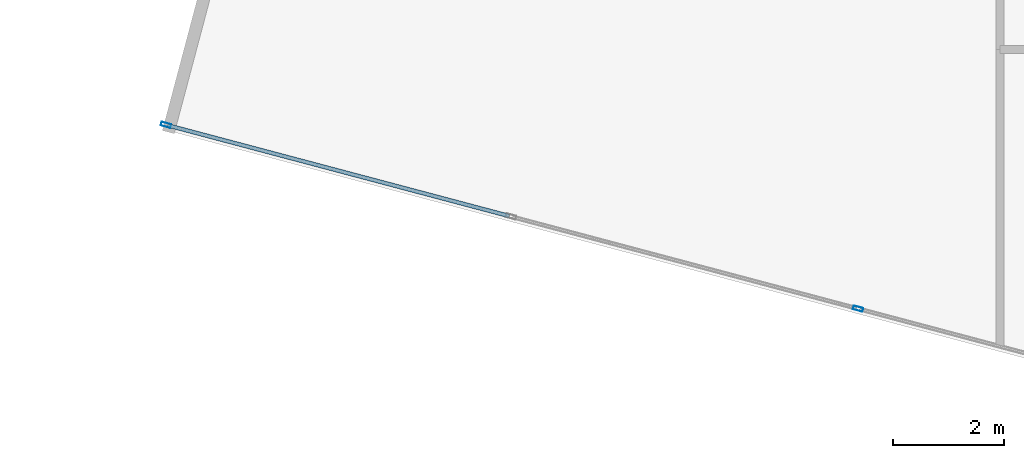
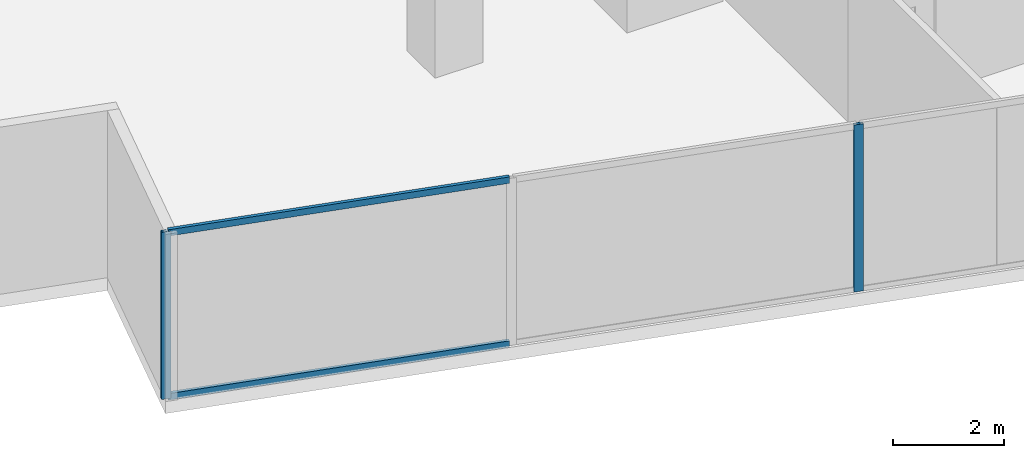
# One storey, part 2 of 27: 4 members, 1 element without a shape of its own.
"""IFC4 building model written with IfcOpenShell, lengths in metres."""

from ifc_helpers import new_model, si_unit, direction, frame, origin, origin_2d, place, context, subcontext, project, spatial, hollow_rectangle, extrude, source, transform, mapped, material, material_profile, profile_set, type_object, type_shapes, element, aggregate, save


model = new_model("IFC4")

# Units and contexts
model_context = context("Model", 3, precision=1e-05, world=origin(), true_north=direction((0.0, 1.0)))
body_context = subcontext(model_context, "Body", "Model", "MODEL_VIEW")
ifc_project = project(units=[si_unit("LENGTHUNIT", "METRE"), si_unit("AREAUNIT", "SQUARE_METRE"), si_unit("VOLUMEUNIT", "CUBIC_METRE"), si_unit("PLANEANGLEUNIT", "RADIAN"), si_unit("MASSUNIT", "GRAM", prefix="KILO")], contexts=[model_context])

# Site, building, storey
site_placement = place(None, origin())
site = spatial("IfcSite", under=ifc_project, at=site_placement, CompositionType="ELEMENT")
building_placement = place(site_placement, origin())
building = spatial("IfcBuilding", under=site, at=building_placement, Name="Krantzveldt Concourse Tower", CompositionType="ELEMENT")
storey_placement = place(building_placement, frame((0.0, 0.0, 105.85009765625)))
storey = spatial("IfcBuildingStorey", under=building, at=storey_placement, Name="L25", CompositionType="ELEMENT", Elevation=105.85009765625)

# Curtain wall, members
ifc_material = material(Name="Anodised aluminium 6063-T6", Category="aluminium")
curtain_wall_type = type_object("IfcCurtainWallType", Name="CW2", PredefinedType="USERDEFINED", material=ifc_material)
curtain_wall_placement = place(storey_placement, origin())
curtain_wall = element("IfcCurtainWall", 1, at=curtain_wall_placement, inside=storey, type_object=curtain_wall_type, Name="CW-L25-F04", ObjectType="UNITISED CURTAIN WALL", PredefinedType="USERDEFINED")
ifc_material_profile_1 = material_profile(ifc_material, hollow_rectangle(XDim=0.070068359375, YDim=0.179931640625, WallThickness=0.0048828125, at=origin_2d()), Name="Anodised aluminium 6063-T6", Category="aluminium")
ifc_profile_set_1 = profile_set([ifc_material_profile_1], Name="Anodised aluminium 6063-T6 - ALU-MULL 180x70x5")
member_type_1 = type_object("IfcMemberType", Name="CW-MUL-180", PredefinedType="MULLION", material=ifc_profile_set_1)
shared_shape_1 = source(origin(), body_context, "Body", "SweptSolid", [
    extrude(hollow_rectangle(XDim=0.070068359375, YDim=0.179931640625, WallThickness=0.0048828125, at=origin_2d()), origin(), (0.0, 0.0, 1.0), 3.669921875),
])
type_shapes(member_type_1, [shared_shape_1])
member_1_placement = place(storey_placement, frame((11.300048828125, 9.142333984375, 0.0), z_axis=(0.0, 0.0, 1.0), x_axis=(0.256711093648, 0.966488186373, 0.0)))
member_1 = element("IfcMember", 2, at=member_1_placement, type_object=member_type_1, Name="CW-Z12 mullion 1", PredefinedType="MULLION", context=body_context, shape_type="MappedRepresentation", body=[
    mapped(shared_shape_1, transform((0.0, 0.0, 0.0), x_axis=(1.0, 0.0, 0.0), y_axis=(0.0, 1.0, 0.0), z_axis=(0.0, 0.0, 1.0), scale=1.0)),
])
member_2_placement = place(storey_placement, frame((23.76611328125, 5.831298828125, 0.0), z_axis=(0.0, 0.0, 1.0), x_axis=(0.256711093648, 0.966488186373, 0.0)))
member_2 = element("IfcMember", 3, at=member_2_placement, type_object=member_type_1, Name="CW-Z12 mullion 3", PredefinedType="MULLION", context=body_context, shape_type="MappedRepresentation", body=[
    mapped(shared_shape_1, transform((0.0, 0.0, 0.0), x_axis=(1.0, 0.0, 0.0), y_axis=(0.0, 1.0, 0.0), z_axis=(0.0, 0.0, 1.0), scale=1.0)),
])
ifc_material_profile_2 = material_profile(ifc_material, hollow_rectangle(XDim=0.070068359375, YDim=0.139892578125, WallThickness=0.0048828125, at=origin_2d()), Name="Anodised aluminium 6063-T6", Category="aluminium")
ifc_profile_set_2 = profile_set([ifc_material_profile_2], Name="Anodised aluminium 6063-T6 - ALU-TRAN 140x70x5")
member_type_2 = type_object("IfcMemberType", Name="CW-TRN-150", PredefinedType="USERDEFINED", material=ifc_profile_set_2)
shared_shape_2 = source(origin(), body_context, "Body", "SweptSolid", [
    extrude(hollow_rectangle(XDim=0.070068359375, YDim=0.139892578125, WallThickness=0.0048828125, at=origin_2d()), origin(), (0.0, 0.0, 1.0), 6.36181640625),
])
type_shapes(member_type_2, [shared_shape_2])
member_3_placement = place(storey_placement, frame((11.333740234375, 9.13330078125, 0.034912109375), z_axis=(0.96649241661, -0.256695166754, 0.0), x_axis=(0.256695166754, 0.96649241661, 0.0)))
member_3 = element("IfcMember", 4, at=member_3_placement, type_object=member_type_2, Name="CW-Z12 transom 1.1", ObjectType="TRANSOM", PredefinedType="USERDEFINED", context=body_context, shape_type="MappedRepresentation", body=[
    mapped(shared_shape_2, transform((0.0, 0.0, 0.0), x_axis=(1.0, 0.0, 0.0), y_axis=(0.0, 1.0, 0.0), z_axis=(0.0, 0.0, 1.0), scale=1.0)),
])
member_4_placement = place(storey_placement, frame((11.333740234375, 9.13330078125, 3.635009765625), z_axis=(0.96649241661, -0.256695166754, 0.0), x_axis=(0.256695166754, 0.96649241661, 0.0)))
member_4 = element("IfcMember", 5, at=member_4_placement, type_object=member_type_2, Name="CW-Z12 transom 1.2", ObjectType="TRANSOM", PredefinedType="USERDEFINED", context=body_context, shape_type="MappedRepresentation", body=[
    mapped(shared_shape_2, transform((0.0, 0.0, 0.0), x_axis=(1.0, 0.0, 0.0), y_axis=(0.0, 1.0, 0.0), z_axis=(0.0, 0.0, 1.0), scale=1.0)),
])
aggregate(curtain_wall, [member_1, member_2, member_3, member_4])

save(model, "model.ifc")
